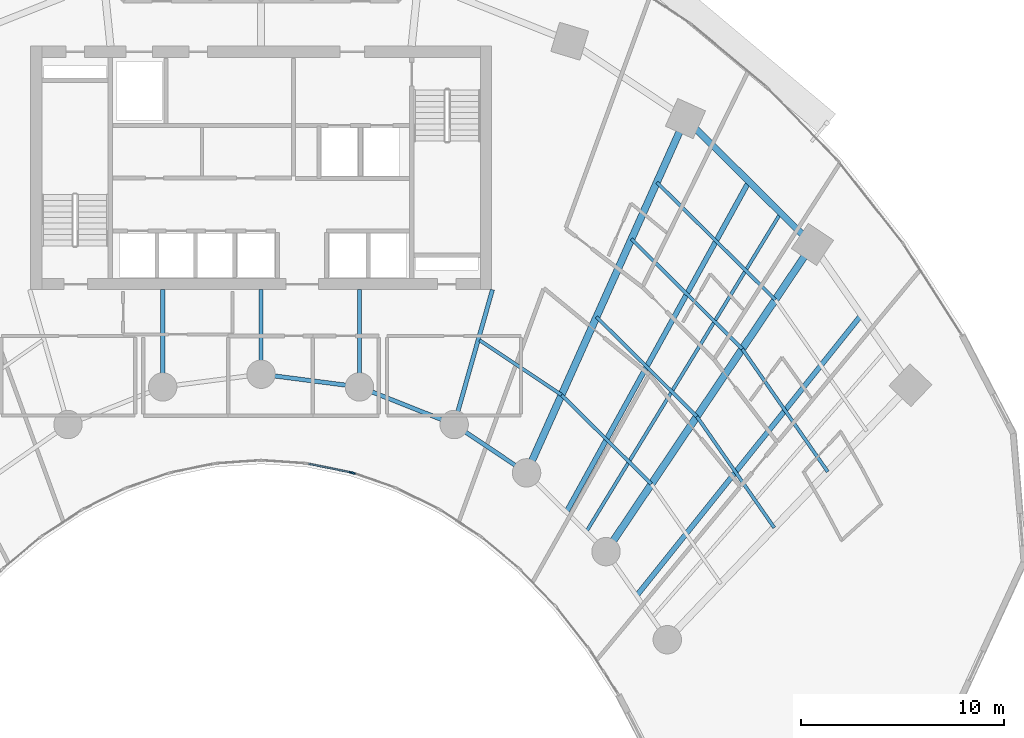
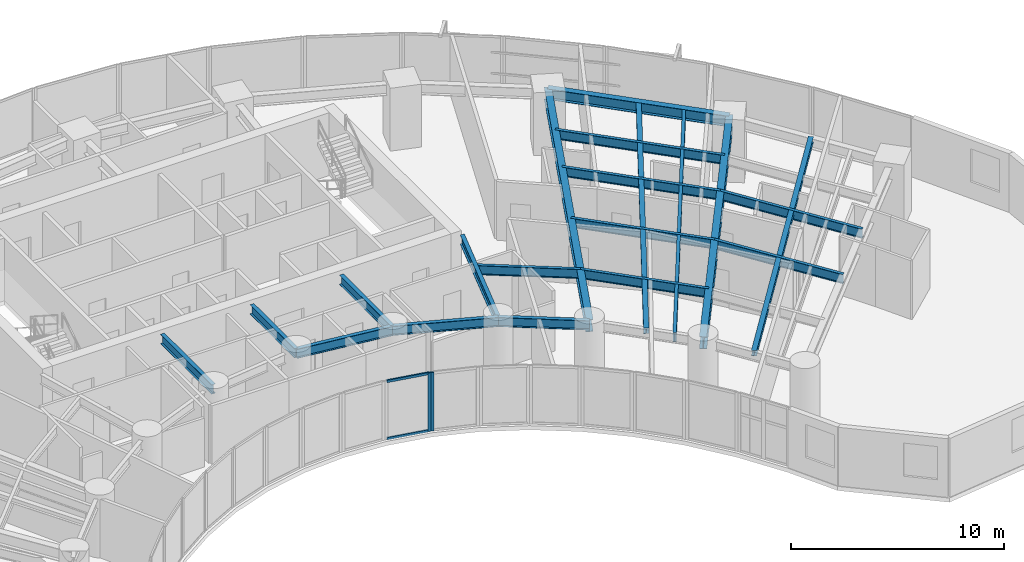
# One storey, part 5 of 17: 20 beams, 4 members, 2 elements without a shape of their own.
"""IFC4 building model written with IfcOpenShell, lengths in metres."""

from ifc_helpers import new_model, si_unit, direction, frame, origin, origin_2d, place, context, subcontext, project, spatial, rectangle, i_section, extrude, source, transform, mapped, material, layer, layer_set, material_profile, profile_set, type_object, type_shapes, element, aggregate, save


model = new_model("IFC4")

# Units and contexts
model_context = context("Model", 3, precision=1e-05, world=origin(), true_north=direction((0.0, 1.0)))
body_context = subcontext(model_context, "Body", "Model", "MODEL_VIEW")
ifc_project = project(units=[si_unit("LENGTHUNIT", "METRE"), si_unit("AREAUNIT", "SQUARE_METRE"), si_unit("VOLUMEUNIT", "CUBIC_METRE"), si_unit("PLANEANGLEUNIT", "RADIAN"), si_unit("MASSUNIT", "GRAM", prefix="KILO")], contexts=[model_context])

# Site, building, storey
site_placement = place(None, origin())
site = spatial("IfcSite", under=ifc_project, at=site_placement, CompositionType="ELEMENT")
building_placement = place(site_placement, origin())
building = spatial("IfcBuilding", under=site, at=building_placement, Name="Breltana Convention Tower", CompositionType="ELEMENT")
storey_placement = place(building_placement, frame((0.0, 0.0, 57.0)))
storey = spatial("IfcBuildingStorey", under=building, at=storey_placement, Name="L12", CompositionType="ELEMENT", Elevation=57.0)

# Beams
ifc_material_1 = material(Name="Steel ASTM A992 Grade 50", Category="steel")
ifc_material_profile_1 = material_profile(ifc_material_1, i_section(OverallWidth=0.323974609375, OverallDepth=0.611083984375, WebThickness=0.0126953125, FlangeThickness=0.01904296875, at=origin_2d()), Name="W24X104")
ifc_profile_set_1 = profile_set([ifc_material_profile_1], Name="Steel ASTM A992 Grade 50")
beam_type_1 = type_object("IfcBeamType", Name="BM-SP-W24X104", PredefinedType="SPANDREL", material=ifc_profile_set_1)
shared_shape_1 = source(origin(), body_context, "Body", "SweptSolid", [
    extrude(i_section(OverallWidth=0.323974609375, OverallDepth=0.611083984375, WebThickness=0.0126953125, FlangeThickness=0.01904296875, at=origin_2d()), origin(), (0.0, 0.0, 1.0), 8.810302734375),
])
beam_1_placement = place(storey_placement, frame((68.910400390625, 68.63330078125, 3.054443359375), z_axis=(0.710120823582, -0.704079836322, 0.0), x_axis=(0.704079836322, 0.710120823582, 0.0)))
element("IfcBeam", 1, at=beam_1_placement, inside=storey, type_object=beam_type_1, Name="L12 Outer Spandrel Beam 09", PredefinedType="SPANDREL", context=body_context, shape_type="MappedRepresentation", body=[
    mapped(shared_shape_1, transform((0.0, 0.0, 0.0), scale=1.0)),
])
ifc_material_profile_2 = material_profile(ifc_material_1, i_section(OverallWidth=0.2099609375, OverallDepth=0.537109375, WebThickness=0.010986328125, FlangeThickness=0.017333984375, at=origin_2d()), Name="W21X68")
ifc_profile_set_2 = profile_set([ifc_material_profile_2], Name="Steel ASTM A992 Grade 50")
beam_type_2 = type_object("IfcBeamType", Name="BM-BM-W21X68", PredefinedType="BEAM", material=ifc_profile_set_2)
shared_shape_2 = source(origin(), body_context, "Body", "SweptSolid", [
    extrude(i_section(OverallWidth=0.2099609375, OverallDepth=0.537109375, WebThickness=0.010986328125, FlangeThickness=0.017333984375, at=origin_2d()), origin(), (0.0, 0.0, 1.0), 6.904541015625),
])
type_shapes(beam_type_2, [shared_shape_2])
beam_2_placement = place(storey_placement, frame((59.39990234375, 60.199951171875, 3.091552734375), z_axis=(-0.273006781054, -0.962012108811, 0.0), x_axis=(0.962012108811, -0.273006781054, 0.0)))
element("IfcBeam", 2, at=beam_2_placement, inside=storey, type_object=beam_type_2, Name="L12 South Core Tie Girder R08", PredefinedType="BEAM", context=body_context, shape_type="MappedRepresentation", body=[
    mapped(shared_shape_2, transform((0.0, 0.0, 0.0), scale=1.0)),
])
shared_shape_3 = source(origin(), body_context, "Body", "SweptSolid", [
    extrude(i_section(OverallWidth=0.2099609375, OverallDepth=0.537109375, WebThickness=0.010986328125, FlangeThickness=0.017333984375, at=origin_2d()), origin(), (0.0, 0.0, 1.0), 4.789306640625),
])
for number, where, z_axis, x_axis, name in (
    (3, (43.153564453125, 60.199951171875, 3.091552734375), (0.0, -1.0, 0.0), (1.0, 0.0, 0.0), "L12 South Core Tie Girder R05"),
    (4, (52.846435546875, 60.199951171875, 3.091552734375), (0.0, -1.0, 0.0), (1.0, 0.0, 0.0), "L12 South Core Tie Girder R07"),
):
    element("IfcBeam", number, at=place(storey_placement, frame(where, z_axis=z_axis, x_axis=x_axis)), inside=storey, type_object=beam_type_2, Name=name, PredefinedType="BEAM", context=body_context, shape_type="MappedRepresentation", body=[
        mapped(shared_shape_3, transform((0.0, 0.0, 0.0), scale=1.0)),
    ])
shared_shape_4 = source(origin(), body_context, "Body", "SweptSolid", [
    extrude(i_section(OverallWidth=0.2099609375, OverallDepth=0.537109375, WebThickness=0.010986328125, FlangeThickness=0.017333984375, at=origin_2d()), origin(), (0.0, 0.0, 1.0), 4.1640625),
])
beam_3_placement = place(storey_placement, frame((48.0, 60.199951171875, 3.091552734375), z_axis=(0.0, -1.0, 0.0), x_axis=(1.0, 0.0, 0.0)))
element("IfcBeam", 5, at=beam_3_placement, inside=storey, type_object=beam_type_2, Name="L12 South Core Tie Girder R06", PredefinedType="BEAM", context=body_context, shape_type="MappedRepresentation", body=[
    mapped(shared_shape_4, transform((0.0, 0.0, 0.0), scale=1.0)),
])
ifc_material_profile_3 = material_profile(ifc_material_1, i_section(OverallWidth=0.35498046875, OverallDepth=0.696044921875, WebThickness=0.015380859375, FlangeThickness=0.02490234375, at=origin_2d()), Name="W27X146")
ifc_profile_set_3 = profile_set([ifc_material_profile_3], Name="Steel ASTM A992 Grade 50")
beam_type_3 = type_object("IfcBeamType", Name="BM-RG-W27X146", PredefinedType="USERDEFINED", material=ifc_profile_set_3)
shared_shape_5 = source(origin(), body_context, "Body", "SweptSolid", [
    extrude(i_section(OverallWidth=0.35498046875, OverallDepth=0.696044921875, WebThickness=0.015380859375, FlangeThickness=0.02490234375, at=origin_2d()), origin(), (0.0, 0.0, 1.0), 19.133544921875),
])
beam_4_placement = place(storey_placement, frame((61.08203125, 51.174560546875, 3.011962890625), z_axis=(0.409144564164, 0.912469575172, 0.0), x_axis=(-0.912469575172, 0.409144564164, 0.0)))
element("IfcBeam", 6, at=beam_4_placement, inside=storey, type_object=beam_type_3, Name="L12 Radial Floor Girder R09", ObjectType="GIRDER", PredefinedType="USERDEFINED", context=body_context, shape_type="MappedRepresentation", body=[
    mapped(shared_shape_5, transform((0.0, 0.0, 0.0), scale=1.0)),
])
shared_shape_6 = source(origin(), body_context, "Body", "SweptSolid", [
    extrude(i_section(OverallWidth=0.35498046875, OverallDepth=0.696044921875, WebThickness=0.015380859375, FlangeThickness=0.02490234375, at=origin_2d()), origin(), (0.0, 0.0, 1.0), 18.236328125),
])
beam_5_placement = place(storey_placement, frame((64.995849609375, 47.293701171875, 3.011962890625), z_axis=(0.557730360975, 0.830022195153, 0.0), x_axis=(-0.830022195153, 0.557730360975, 0.0)))
element("IfcBeam", 7, at=beam_5_placement, inside=storey, type_object=beam_type_3, Name="L12 Radial Floor Girder R10", ObjectType="GIRDER", PredefinedType="USERDEFINED", context=body_context, shape_type="MappedRepresentation", body=[
    mapped(shared_shape_6, transform((0.0, 0.0, 0.0), scale=1.0)),
])
shared_shape_7 = source(origin(), body_context, "Body", "SweptSolid", [
    extrude(i_section(OverallWidth=0.2099609375, OverallDepth=0.537109375, WebThickness=0.010986328125, FlangeThickness=0.017333984375, at=origin_2d()), origin(), (0.0, 0.0, 1.0), 5.022705078125),
])
beam_6_placement = place(storey_placement, frame((52.846435546875, 55.41064453125, 3.091552734375), z_axis=(0.929458966248, -0.368925507469, 0.0), x_axis=(0.368925507469, 0.929458966248, 0.0)))
element("IfcBeam", 8, at=beam_6_placement, inside=storey, type_object=beam_type_2, Name="L12 Inner Ring Beam 07", PredefinedType="BEAM", context=body_context, shape_type="MappedRepresentation", body=[
    mapped(shared_shape_7, transform((0.0, 0.0, 0.0), scale=1.0)),
])
shared_shape_8 = source(origin(), body_context, "Body", "SweptSolid", [
    extrude(i_section(OverallWidth=0.2099609375, OverallDepth=0.537109375, WebThickness=0.010986328125, FlangeThickness=0.017333984375, at=origin_2d()), origin(), (0.0, 0.0, 1.0), 4.88671875),
])
beam_7_placement = place(storey_placement, frame((48.0, 56.035888671875, 3.091552734375), z_axis=(0.991780525565, -0.127950729231, 0.0), x_axis=(0.127950729231, 0.991780525565, 0.0)))
element("IfcBeam", 9, at=beam_7_placement, inside=storey, type_object=beam_type_2, Name="L12 Inner Ring Beam 06", PredefinedType="BEAM", context=body_context, shape_type="MappedRepresentation", body=[
    mapped(shared_shape_8, transform((0.0, 0.0, 0.0), scale=1.0)),
])
shared_shape_9 = source(origin(), body_context, "Body", "SweptSolid", [
    extrude(i_section(OverallWidth=0.2099609375, OverallDepth=0.537109375, WebThickness=0.010986328125, FlangeThickness=0.017333984375, at=origin_2d()), origin(), (0.0, 0.0, 1.0), 4.2900390625),
])
beam_8_placement = place(storey_placement, frame((57.514892578125, 53.5576171875, 3.091552734375), z_axis=(0.831515827753, -0.555501060482, 0.0), x_axis=(0.555501060482, 0.831515827753, 0.0)))
element("IfcBeam", 10, at=beam_8_placement, inside=storey, type_object=beam_type_2, Name="L12 Inner Ring Beam 08", PredefinedType="BEAM", context=body_context, shape_type="MappedRepresentation", body=[
    mapped(shared_shape_9, transform((0.0, 0.0, 0.0), scale=1.0)),
])
ifc_material_profile_4 = material_profile(ifc_material_1, i_section(OverallWidth=0.166015625, OverallDepth=0.534912109375, WebThickness=0.01025390625, FlangeThickness=0.0166015625, at=origin_2d()), Name="W21X57")
ifc_profile_set_4 = profile_set([ifc_material_profile_4], Name="Steel ASTM A992 Grade 50")
beam_type_4 = type_object("IfcBeamType", Name="BM-JSG-05", PredefinedType="JOIST", material=ifc_profile_set_4)
shared_shape_10 = source(origin(), body_context, "Body", "SweptSolid", [
    extrude(i_section(OverallWidth=0.166015625, OverallDepth=0.534912109375, WebThickness=0.01025390625, FlangeThickness=0.0166015625, at=origin_2d()), origin(), (0.0, 0.0, 1.0), 4.854736328125),
])
beam_9_placement = place(storey_placement, frame((58.767578125, 57.71240234375, 3.092529296875), z_axis=(0.831485074305, -0.555547091801, 0.0), x_axis=(0.555547091801, 0.831485074305, 0.0)))
element("IfcBeam", 11, at=beam_9_placement, inside=storey, type_object=beam_type_4, Name="L12 Composite Floor Joist 08.1", PredefinedType="JOIST", context=body_context, shape_type="MappedRepresentation", body=[
    mapped(shared_shape_10, transform((0.0, 0.0, 0.0), scale=1.0)),
])
shared_shape_11 = source(origin(), body_context, "Body", "SweptSolid", [
    extrude(i_section(OverallWidth=0.166015625, OverallDepth=0.534912109375, WebThickness=0.01025390625, FlangeThickness=0.0166015625, at=origin_2d()), origin(), (0.0, 0.0, 1.0), 6.2373046875),
])
beam_10_placement = place(storey_placement, frame((62.80419921875, 55.015380859375, 3.092529296875), z_axis=(0.710114292485, -0.704086423394, 0.0), x_axis=(0.704086423394, 0.710114292485, 0.0)))
element("IfcBeam", 12, at=beam_10_placement, inside=storey, type_object=beam_type_4, Name="L12 Composite Floor Joist 09.1", PredefinedType="JOIST", context=body_context, shape_type="MappedRepresentation", body=[
    mapped(shared_shape_11, transform((0.0, 0.0, 0.0), scale=1.0)),
])
shared_shape_12 = source(origin(), body_context, "Body", "SweptSolid", [
    extrude(i_section(OverallWidth=0.166015625, OverallDepth=0.534912109375, WebThickness=0.01025390625, FlangeThickness=0.0166015625, at=origin_2d()), origin(), (0.0, 0.0, 1.0), 6.963134765625),
])
beam_11_placement = place(storey_placement, frame((64.526611328125, 58.8564453125, 3.092529296875), z_axis=(0.71009817493, -0.704102678564, 0.0), x_axis=(0.704102678564, 0.71009817493, 0.0)))
element("IfcBeam", 13, at=beam_11_placement, inside=storey, type_object=beam_type_4, Name="L12 Composite Floor Joist 09.2", PredefinedType="JOIST", context=body_context, shape_type="MappedRepresentation", body=[
    mapped(shared_shape_12, transform((0.0, 0.0, 0.0), scale=1.0)),
])
shared_shape_13 = source(origin(), body_context, "Body", "SweptSolid", [
    extrude(i_section(OverallWidth=0.166015625, OverallDepth=0.534912109375, WebThickness=0.01025390625, FlangeThickness=0.0166015625, at=origin_2d()), origin(), (0.0, 0.0, 1.0), 7.688720703125),
])
beam_12_placement = place(storey_placement, frame((66.248779296875, 62.697265625, 3.092529296875), z_axis=(0.710101109809, -0.704099718682, 0.0), x_axis=(0.704099718682, 0.710101109809, 0.0)))
element("IfcBeam", 14, at=beam_12_placement, inside=storey, type_object=beam_type_4, Name="L12 Composite Floor Joist 09.3", PredefinedType="JOIST", context=body_context, shape_type="MappedRepresentation", body=[
    mapped(shared_shape_13, transform((0.0, 0.0, 0.0), scale=1.0)),
])
shared_shape_14 = source(origin(), body_context, "Body", "SweptSolid", [
    extrude(i_section(OverallWidth=0.166015625, OverallDepth=0.534912109375, WebThickness=0.01025390625, FlangeThickness=0.0166015625, at=origin_2d()), origin(), (0.0, 0.0, 1.0), 8.21630859375),
])
beam_13_placement = place(storey_placement, frame((67.50146484375, 65.49072265625, 3.092529296875), z_axis=(0.710101511063, -0.704099314008, 0.0), x_axis=(0.704099314008, 0.710101511063, 0.0)))
element("IfcBeam", 15, at=beam_13_placement, inside=storey, type_object=beam_type_4, Name="L12 Composite Floor Joist 09.4", PredefinedType="JOIST", context=body_context, shape_type="MappedRepresentation", body=[
    mapped(shared_shape_14, transform((0.0, 0.0, 0.0), scale=1.0)),
])
ifc_material_profile_5 = material_profile(ifc_material_1, i_section(OverallWidth=0.25390625, OverallDepth=0.305908203125, WebThickness=0.0087890625, FlangeThickness=0.0146484375, at=origin_2d()), Name="W12X53")
ifc_profile_set_5 = profile_set([ifc_material_profile_5], Name="Steel ASTM A992 Grade 50")
beam_type_5 = type_object("IfcBeamType", Name="BM-JSG-10", PredefinedType="JOIST", material=ifc_profile_set_5)
shared_shape_15 = source(origin(), body_context, "Body", "SweptSolid", [
    extrude(i_section(OverallWidth=0.25390625, OverallDepth=0.305908203125, WebThickness=0.0087890625, FlangeThickness=0.0146484375, at=origin_2d()), origin(), (0.0, 0.0, 1.0), 18.617431640625),
])
beam_14_placement = place(storey_placement, frame((63.038818359375, 49.234130859375, 3.20703125), z_axis=(0.483405602507, 0.875396495004, 0.0), x_axis=(-0.875396495004, 0.483405602507, 0.0)))
element("IfcBeam", 16, at=beam_14_placement, inside=storey, type_object=beam_type_5, Name="L12 Mid-Bay Radial Trimmer 09", PredefinedType="JOIST", context=body_context, shape_type="MappedRepresentation", body=[
    mapped(shared_shape_15, transform((0.0, 0.0, 0.0), scale=1.0)),
])
shared_shape_16 = source(origin(), body_context, "Body", "SweptSolid", [
    extrude(i_section(OverallWidth=0.166015625, OverallDepth=0.534912109375, WebThickness=0.01025390625, FlangeThickness=0.0166015625, at=origin_2d()), origin(), (0.0, 0.0, 1.0), 18.409423828125),
])
beam_15_placement = place(storey_placement, frame((64.017333984375, 48.263916015625, 3.092529296875), z_axis=(0.520682167606, 0.853750596098, 0.0), x_axis=(-0.853750596098, 0.520682167606, 0.0)))
element("IfcBeam", 17, at=beam_15_placement, inside=storey, type_object=beam_type_4, Name="L12 Quarter-Bay Radial Trimmer 09", PredefinedType="JOIST", context=body_context, shape_type="MappedRepresentation", body=[
    mapped(shared_shape_16, transform((0.0, 0.0, 0.0), scale=1.0)),
])
shared_shape_17 = source(origin(), body_context, "Body", "SweptSolid", [
    extrude(i_section(OverallWidth=0.166015625, OverallDepth=0.534912109375, WebThickness=0.01025390625, FlangeThickness=0.0166015625, at=origin_2d()), origin(), (0.0, 0.0, 1.0), 6.677978515625),
])
beam_16_placement = place(storey_placement, frame((69.47119140625, 53.95361328125, 3.092529296875), z_axis=(0.571193018768, -0.820815774282, 0.0), x_axis=(0.820815774282, 0.571193018768, 0.0)))
element("IfcBeam", 18, at=beam_16_placement, inside=storey, type_object=beam_type_4, Name="L12 Composite Floor Joist 10.2", PredefinedType="JOIST", context=body_context, shape_type="MappedRepresentation", body=[
    mapped(shared_shape_17, transform((0.0, 0.0, 0.0), scale=1.0)),
])
shared_shape_18 = source(origin(), body_context, "Body", "SweptSolid", [
    extrude(i_section(OverallWidth=0.166015625, OverallDepth=0.534912109375, WebThickness=0.01025390625, FlangeThickness=0.0166015625, at=origin_2d()), origin(), (0.0, 0.0, 1.0), 7.374267578125),
])
beam_17_placement = place(storey_placement, frame((71.70849609375, 57.28369140625, 3.092529296875), z_axis=(0.571229379406, -0.820790470281, 0.0), x_axis=(0.820790470281, 0.571229379406, 0.0)))
element("IfcBeam", 19, at=beam_17_placement, inside=storey, type_object=beam_type_4, Name="L12 Composite Floor Joist 10.3", PredefinedType="JOIST", context=body_context, shape_type="MappedRepresentation", body=[
    mapped(shared_shape_18, transform((0.0, 0.0, 0.0), scale=1.0)),
])
shared_shape_19 = source(origin(), body_context, "Body", "SweptSolid", [
    extrude(i_section(OverallWidth=0.25390625, OverallDepth=0.305908203125, WebThickness=0.0087890625, FlangeThickness=0.0146484375, at=origin_2d()), origin(), (0.0, 0.0, 1.0), 17.7236328125),
])
beam_18_placement = place(storey_placement, frame((66.505615234375, 45.124267578125, 3.20703125), z_axis=(0.624829427563, 0.78076128647, 0.0), x_axis=(-0.78076128647, 0.624829427563, 0.0)))
element("IfcBeam", 20, at=beam_18_placement, inside=storey, type_object=beam_type_5, Name="L12 Mid-Bay Radial Trimmer 10", PredefinedType="JOIST", context=body_context, shape_type="MappedRepresentation", body=[
    mapped(shared_shape_19, transform((0.0, 0.0, 0.0), scale=1.0)),
])

# Curtain wall, member
ifc_material_2 = material(Name="Aluminium Anodised Bronze Frame", Category="aluminium")
ifc_layer = layer(ifc_material_2, 0.18994140625, Name="Aluminium Anodised Bronze Frame")
ifc_layer_set = layer_set([ifc_layer], Name="Aluminium Anodised Bronze Frame")
curtain_wall_type = type_object("IfcCurtainWallType", Name="CW-SYS-1", PredefinedType="NOTDEFINED", material=ifc_layer_set)
curtain_wall_1_placement = place(storey_placement, origin())
curtain_wall_1 = element("IfcCurtainWall", 21, at=curtain_wall_1_placement, inside=storey, type_object=curtain_wall_type, Name="L12 inner south-court glazing 7", PredefinedType="NOTDEFINED")
ifc_material_3 = material(Name="Aluminium Anodised Bronze", Category="aluminium")
ifc_material_profile_6 = material_profile(ifc_material_3, rectangle(XDim=0.080078125, YDim=0.199951171875, at=origin_2d()), Name="CWM-80X200")
ifc_profile_set_6 = profile_set([ifc_material_profile_6], Name="Aluminium Anodised Bronze")
member_type_1 = type_object("IfcMemberType", Name="CWM-200", PredefinedType="MULLION", material=ifc_profile_set_6)
shared_shape_20 = source(origin(), body_context, "Body", "SweptSolid", [
    extrude(rectangle(XDim=0.080078125, YDim=0.199951171875, at=origin_2d()), origin(), (0.0, 0.0, 1.0), 3.360107421875),
])
member_1_placement = place(storey_placement, frame((52.54052734375, 51.166015625, 0.0), z_axis=(0.0, 0.0, 1.0), x_axis=(-0.327413341714, -0.944881211406, 0.0)))
member_1 = element("IfcMember", 22, at=member_1_placement, type_object=member_type_1, Name="CW-01 mullion 2", PredefinedType="MULLION", context=body_context, shape_type="MappedRepresentation", body=[
    mapped(shared_shape_20, transform((0.0, 0.0, 0.0), scale=1.0)),
])
aggregate(curtain_wall_1, [member_1])

# Curtain wall, members
curtain_wall_2_placement = place(storey_placement, origin())
curtain_wall_2 = element("IfcCurtainWall", 23, at=curtain_wall_2_placement, inside=storey, type_object=curtain_wall_type, Name="L12 inner south-court glazing 8", PredefinedType="NOTDEFINED")
member_2_placement = place(storey_placement, frame((52.44091796875, 51.193359375, 0.0), z_axis=(0.0, 0.0, 1.0), x_axis=(-0.200886350278, -0.97961455393, 0.0)))
member_2 = element("IfcMember", 24, at=member_2_placement, type_object=member_type_1, Name="CW-01 mullion 1", PredefinedType="MULLION", context=body_context, shape_type="MappedRepresentation", body=[
    mapped(shared_shape_20, transform((0.0, 0.0, 0.0), scale=1.0)),
])
ifc_material_profile_7 = material_profile(ifc_material_3, rectangle(XDim=0.080078125, YDim=0.139892578125, at=origin_2d()), Name="CWT-80X140")
ifc_profile_set_7 = profile_set([ifc_material_profile_7], Name="Aluminium Anodised Bronze")
member_type_2 = type_object("IfcMemberType", Name="CWT-140", PredefinedType="USERDEFINED", material=ifc_profile_set_7)
shared_shape_21 = source(origin(), body_context, "Body", "SweptSolid", [
    extrude(rectangle(XDim=0.080078125, YDim=0.139892578125, at=origin_2d()), origin(), (0.0, 0.0, 1.0), 2.096435546875),
])
member_3_placement = place(storey_placement, frame((52.401611328125, 51.201416015625, 0.0400390625), z_axis=(-0.979615042233, 0.200883969074, 0.0), x_axis=(-0.200883969074, -0.979615042233, 0.0)))
member_3 = element("IfcMember", 25, at=member_3_placement, type_object=member_type_2, Name="CW-01 transom 1.1", ObjectType="TRANSOM", PredefinedType="USERDEFINED", context=body_context, shape_type="MappedRepresentation", body=[
    mapped(shared_shape_21, transform((0.0, 0.0, 0.0), scale=1.0)),
])
member_4_placement = place(storey_placement, frame((52.401611328125, 51.201416015625, 3.320068359375), z_axis=(-0.979615042233, 0.200883969074, 0.0), x_axis=(-0.200883969074, -0.979615042233, 0.0)))
member_4 = element("IfcMember", 26, at=member_4_placement, type_object=member_type_2, Name="CW-01 transom 1.2", ObjectType="TRANSOM", PredefinedType="USERDEFINED", context=body_context, shape_type="MappedRepresentation", body=[
    mapped(shared_shape_21, transform((0.0, 0.0, 0.0), scale=1.0)),
])
aggregate(curtain_wall_2, [member_2, member_3, member_4])

save(model, "model.ifc")
